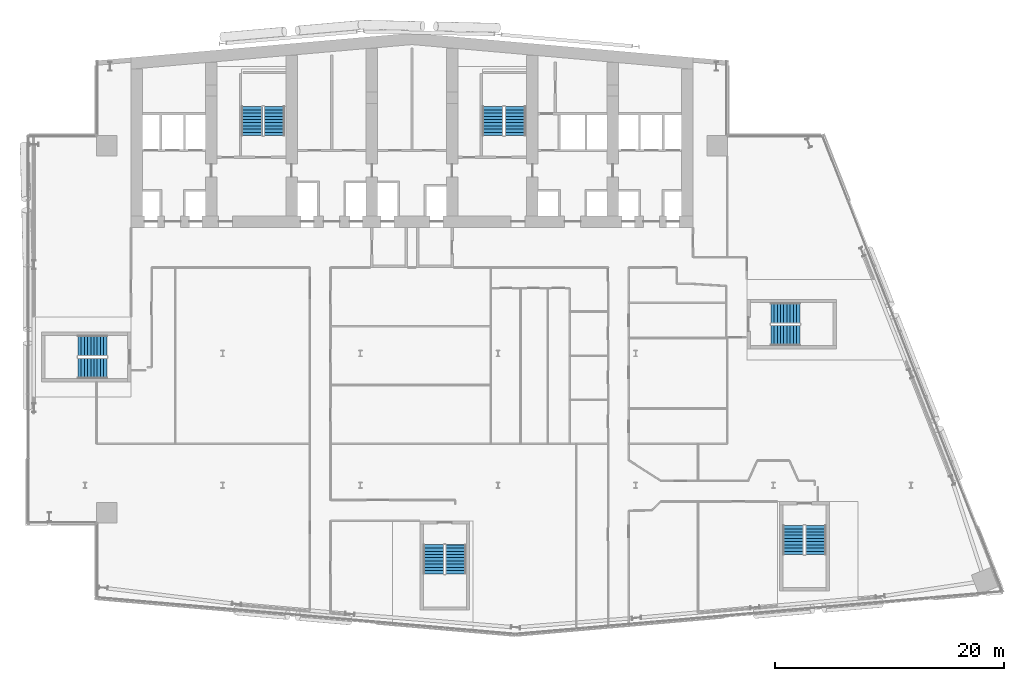
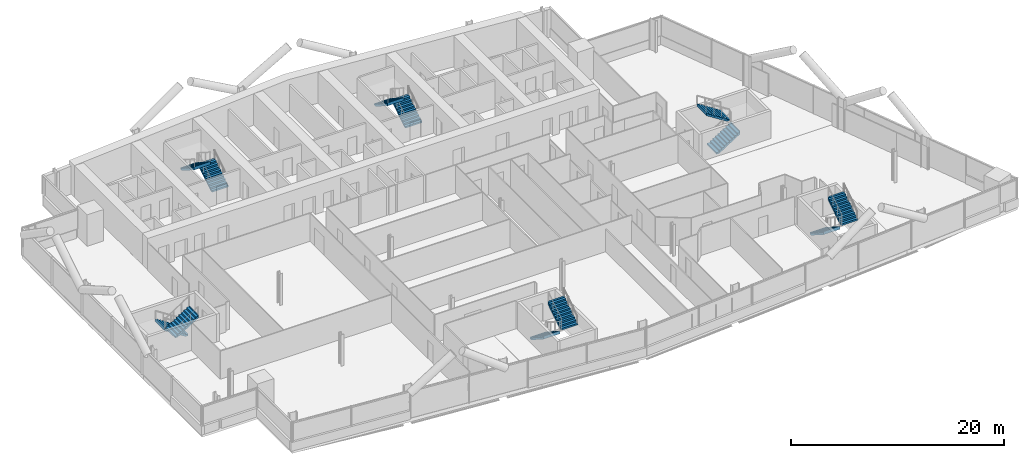
# One storey, part 20 of 26: 12 stair flights, 6 elements without a shape of their own.
"""IFC4 building model written with IfcOpenShell, lengths in metres."""

from ifc_helpers import new_model, si_unit, direction, frame, origin, place, context, subcontext, project, spatial, polyline, outline, extrude, material, type_object, element, aggregate, save


model = new_model("IFC4")

# Units and contexts
model_context = context("Model", 3, precision=1e-05, world=origin(), true_north=direction((0.0, 1.0)))
body_context = subcontext(model_context, "Body", "Model", "MODEL_VIEW")
ifc_project = project(units=[si_unit("LENGTHUNIT", "METRE"), si_unit("AREAUNIT", "SQUARE_METRE"), si_unit("VOLUMEUNIT", "CUBIC_METRE"), si_unit("PLANEANGLEUNIT", "RADIAN"), si_unit("MASSUNIT", "GRAM", prefix="KILO")], contexts=[model_context])

# Site, building, storey
site_placement = place(None, origin())
site = spatial("IfcSite", under=ifc_project, at=site_placement, CompositionType="ELEMENT")
building_placement = place(site_placement, origin())
building = spatial("IfcBuilding", under=site, at=building_placement, Name="Wharfspan Tower", CompositionType="ELEMENT")
storey_placement = place(building_placement, frame((0.0, 0.0, 114.699951)))
storey = spatial("IfcBuildingStorey", under=building, at=storey_placement, Name="L26", CompositionType="ELEMENT", Elevation=114.699951)

# Stair, stair flights
ifc_material = material(Name="Concrete C40/50", Category="concrete")
stair_type = type_object("IfcStairType", Name="Half-turn stair 20 risers 180 mm", PredefinedType="HALF_TURN_STAIR", material=ifc_material)
stair_1_placement = place(storey_placement, origin())
stair_1 = element("IfcStair", 1, at=stair_1_placement, inside=storey, type_object=stair_type, Name="L26 stair ST1", PredefinedType="HALF_TURN_STAIR")
stair_flight_type = type_object("IfcStairFlightType", Name="Stair flight 20 risers 180 mm", PredefinedType="STRAIGHT", material=ifc_material)
stair_flight_1_placement = place(storey_placement, frame((28.5, 42.0, 0.0), z_axis=(0.0, 0.0, 1.0), x_axis=(0.0, 1.0, 0.0)))
stair_flight_1 = element("IfcStairFlight", 2, at=stair_flight_1_placement, type_object=stair_flight_type, Name="ST1 flight 1", NumberOfRisers=10, NumberOfTreads=9, PredefinedType="STRAIGHT", RiserHeight=0.18, TreadLength=0.28, context=body_context, shape_type="SweptSolid", body=[
    extrude(outline(polyline([(-0.011963, 0.0), (-0.011963, 0.179932), (0.0, 0.179932), (0.280029, 0.179932), (0.280029, 0.360107), (0.560059, 0.360107), (0.560059, 0.540039), (0.840088, 0.540039), (0.840088, 0.719971), (1.120117, 0.719971), (1.120117, 0.899902), (1.399902, 0.899902), (1.399902, 1.080078), (1.679932, 1.080078), (1.679932, 1.26001), (1.959961, 1.26001), (1.959961, 1.439941), (2.23999, 1.439941), (2.23999, 1.620117), (2.52002, 1.620117), (2.531982, 1.800049), (2.531982, 1.441895), (0.2771, 0.0), (-0.011963, 0.0)])), frame((0.0, 0.899902, 0.0), z_axis=(0.0, -1.0, 0.0), x_axis=(1.0, 0.0, 0.0)), (0.0, 0.0, 1.0), 0.899414),
    extrude(outline(polyline([(-0.011963, 0.0), (-0.011963, 0.179932), (0.0, 0.179932), (0.280029, 0.179932), (0.280029, 0.360107), (0.560059, 0.360107), (0.560059, 0.540039), (0.840088, 0.540039), (0.840088, 0.719971), (1.120117, 0.719971), (1.120117, 0.899902), (1.399902, 0.899902), (1.399902, 1.080078), (1.679932, 1.080078), (1.679932, 1.26001), (1.959961, 1.26001), (1.959961, 1.439941), (2.23999, 1.439941), (2.23999, 1.620117), (2.52002, 1.620117), (2.531982, 1.800049), (2.531982, 1.441895), (0.2771, 0.0), (-0.011963, 0.0)])), frame((0.0, -0.000488, 0.0), z_axis=(0.0, -1.0, 0.0), x_axis=(1.0, 0.0, 0.0)), (0.0, 0.0, 1.0), 0.899414),
])
stair_flight_2_placement = place(storey_placement, frame((26.550049, 44.52002, 1.800049), z_axis=(0.0, 0.0, 1.0), x_axis=(0.0, -1.0, 0.0)))
stair_flight_2 = element("IfcStairFlight", 3, at=stair_flight_2_placement, type_object=stair_flight_type, Name="ST1 flight 2", NumberOfRisers=10, NumberOfTreads=9, PredefinedType="STRAIGHT", RiserHeight=0.18, TreadLength=0.28, context=body_context, shape_type="SweptSolid", body=[
    extrude(outline(polyline([(-0.011963, 0.0), (-0.011963, 0.179932), (0.0, 0.179932), (0.280029, 0.179932), (0.280029, 0.360107), (0.560059, 0.360107), (0.560059, 0.540039), (0.840088, 0.540039), (0.840088, 0.719971), (1.120117, 0.719971), (1.120117, 0.899902), (1.399902, 0.899902), (1.399902, 1.080078), (1.679932, 1.080078), (1.679932, 1.26001), (1.959961, 1.26001), (1.959961, 1.439941), (2.23999, 1.439941), (2.23999, 1.620117), (2.52002, 1.620117), (2.531982, 1.800049), (2.531982, 1.441895), (0.2771, 0.0), (-0.011963, 0.0)])), frame((0.0, 0.899902, 0.0), z_axis=(0.0, -1.0, 0.0), x_axis=(1.0, 0.0, 0.0)), (0.0, 0.0, 1.0), 0.899414),
    extrude(outline(polyline([(-0.011963, 0.0), (-0.011963, 0.179932), (0.0, 0.179932), (0.280029, 0.179932), (0.280029, 0.360107), (0.560059, 0.360107), (0.560059, 0.540039), (0.840088, 0.540039), (0.840088, 0.719971), (1.120117, 0.719971), (1.120117, 0.899902), (1.399902, 0.899902), (1.399902, 1.080078), (1.679932, 1.080078), (1.679932, 1.26001), (1.959961, 1.26001), (1.959961, 1.439941), (2.23999, 1.439941), (2.23999, 1.620117), (2.52002, 1.620117), (2.531982, 1.800049), (2.531982, 1.441895), (0.2771, 0.0), (-0.011963, 0.0)])), frame((0.0, -0.000488, 0.0), z_axis=(0.0, -1.0, 0.0), x_axis=(1.0, 0.0, 0.0)), (0.0, 0.0, 1.0), 0.899414),
])
aggregate(stair_1, [stair_flight_1, stair_flight_2])

stair_2_placement = place(storey_placement, origin())
stair_2 = element("IfcStair", 4, at=stair_2_placement, inside=storey, type_object=stair_type, Name="L26 stair ST2", PredefinedType="HALF_TURN_STAIR")
stair_flight_3_placement = place(storey_placement, frame((49.5, 42.0, 0.0), z_axis=(0.0, 0.0, 1.0), x_axis=(0.0, 1.0, 0.0)))
stair_flight_3 = element("IfcStairFlight", 5, at=stair_flight_3_placement, type_object=stair_flight_type, Name="ST2 flight 1", NumberOfRisers=10, NumberOfTreads=9, PredefinedType="STRAIGHT", RiserHeight=0.18, TreadLength=0.28, context=body_context, shape_type="SweptSolid", body=[
    extrude(outline(polyline([(-0.011963, 0.0), (-0.011963, 0.179932), (0.0, 0.179932), (0.280029, 0.179932), (0.280029, 0.360107), (0.560059, 0.360107), (0.560059, 0.540039), (0.840088, 0.540039), (0.840088, 0.719971), (1.120117, 0.719971), (1.120117, 0.899902), (1.399902, 0.899902), (1.399902, 1.080078), (1.679932, 1.080078), (1.679932, 1.26001), (1.959961, 1.26001), (1.959961, 1.439941), (2.23999, 1.439941), (2.23999, 1.620117), (2.52002, 1.620117), (2.531982, 1.800049), (2.531982, 1.441895), (0.2771, 0.0), (-0.011963, 0.0)])), frame((0.0, 0.899902, 0.0), z_axis=(0.0, -1.0, 0.0), x_axis=(1.0, 0.0, 0.0)), (0.0, 0.0, 1.0), 0.899414),
    extrude(outline(polyline([(-0.011963, 0.0), (-0.011963, 0.179932), (0.0, 0.179932), (0.280029, 0.179932), (0.280029, 0.360107), (0.560059, 0.360107), (0.560059, 0.540039), (0.840088, 0.540039), (0.840088, 0.719971), (1.120117, 0.719971), (1.120117, 0.899902), (1.399902, 0.899902), (1.399902, 1.080078), (1.679932, 1.080078), (1.679932, 1.26001), (1.959961, 1.26001), (1.959961, 1.439941), (2.23999, 1.439941), (2.23999, 1.620117), (2.52002, 1.620117), (2.531982, 1.800049), (2.531982, 1.441895), (0.2771, 0.0), (-0.011963, 0.0)])), frame((0.0, -0.000488, 0.0), z_axis=(0.0, -1.0, 0.0), x_axis=(1.0, 0.0, 0.0)), (0.0, 0.0, 1.0), 0.899414),
])
stair_flight_4_placement = place(storey_placement, frame((47.550049, 44.52002, 1.800049), z_axis=(0.0, 0.0, 1.0), x_axis=(0.0, -1.0, 0.0)))
stair_flight_4 = element("IfcStairFlight", 6, at=stair_flight_4_placement, type_object=stair_flight_type, Name="ST2 flight 2", NumberOfRisers=10, NumberOfTreads=9, PredefinedType="STRAIGHT", RiserHeight=0.18, TreadLength=0.28, context=body_context, shape_type="SweptSolid", body=[
    extrude(outline(polyline([(-0.011963, 0.0), (-0.011963, 0.179932), (0.0, 0.179932), (0.280029, 0.179932), (0.280029, 0.360107), (0.560059, 0.360107), (0.560059, 0.540039), (0.840088, 0.540039), (0.840088, 0.719971), (1.120117, 0.719971), (1.120117, 0.899902), (1.399902, 0.899902), (1.399902, 1.080078), (1.679932, 1.080078), (1.679932, 1.26001), (1.959961, 1.26001), (1.959961, 1.439941), (2.23999, 1.439941), (2.23999, 1.620117), (2.52002, 1.620117), (2.531982, 1.800049), (2.531982, 1.441895), (0.2771, 0.0), (-0.011963, 0.0)])), frame((0.0, 0.899902, 0.0), z_axis=(0.0, -1.0, 0.0), x_axis=(1.0, 0.0, 0.0)), (0.0, 0.0, 1.0), 0.899414),
    extrude(outline(polyline([(-0.011963, 0.0), (-0.011963, 0.179932), (0.0, 0.179932), (0.280029, 0.179932), (0.280029, 0.360107), (0.560059, 0.360107), (0.560059, 0.540039), (0.840088, 0.540039), (0.840088, 0.719971), (1.120117, 0.719971), (1.120117, 0.899902), (1.399902, 0.899902), (1.399902, 1.080078), (1.679932, 1.080078), (1.679932, 1.26001), (1.959961, 1.26001), (1.959961, 1.439941), (2.23999, 1.439941), (2.23999, 1.620117), (2.52002, 1.620117), (2.531982, 1.800049), (2.531982, 1.441895), (0.2771, 0.0), (-0.011963, 0.0)])), frame((0.0, -0.000488, 0.0), z_axis=(0.0, -1.0, 0.0), x_axis=(1.0, 0.0, 0.0)), (0.0, 0.0, 1.0), 0.899414),
])
aggregate(stair_2, [stair_flight_3, stair_flight_4])

stair_3_placement = place(storey_placement, origin())
stair_3 = element("IfcStair", 7, at=stair_3_placement, inside=storey, type_object=stair_type, Name="L26 stair ST3", PredefinedType="HALF_TURN_STAIR")
stair_flight_5_placement = place(storey_placement, frame((13.899902, 23.675049, 0.0), z_axis=(0.0, 0.0, 1.0), x_axis=(-1.0, 0.0, 0.0)))
stair_flight_5 = element("IfcStairFlight", 8, at=stair_flight_5_placement, type_object=stair_flight_type, Name="ST3 flight 1", NumberOfRisers=10, NumberOfTreads=9, PredefinedType="STRAIGHT", RiserHeight=0.18, TreadLength=0.28, context=body_context, shape_type="SweptSolid", body=[
    extrude(outline(polyline([(-0.011963, 0.0), (-0.011963, 0.179932), (0.0, 0.179932), (0.280029, 0.179932), (0.280029, 0.360107), (0.560059, 0.360107), (0.560059, 0.540039), (0.840088, 0.540039), (0.840088, 0.719971), (1.120117, 0.719971), (1.120117, 0.899902), (1.399902, 0.899902), (1.399902, 1.080078), (1.679932, 1.080078), (1.679932, 1.26001), (1.959961, 1.26001), (1.959961, 1.439941), (2.23999, 1.439941), (2.23999, 1.620117), (2.52002, 1.620117), (2.531982, 1.800049), (2.531982, 1.441895), (0.2771, 0.0), (-0.011963, 0.0)])), frame((0.0, 0.899902, 0.0), z_axis=(0.0, -1.0, 0.0), x_axis=(1.0, 0.0, 0.0)), (0.0, 0.0, 1.0), 0.899414),
    extrude(outline(polyline([(-0.011963, 0.0), (-0.011963, 0.179932), (0.0, 0.179932), (0.280029, 0.179932), (0.280029, 0.360107), (0.560059, 0.360107), (0.560059, 0.540039), (0.840088, 0.540039), (0.840088, 0.719971), (1.120117, 0.719971), (1.120117, 0.899902), (1.399902, 0.899902), (1.399902, 1.080078), (1.679932, 1.080078), (1.679932, 1.26001), (1.959961, 1.26001), (1.959961, 1.439941), (2.23999, 1.439941), (2.23999, 1.620117), (2.52002, 1.620117), (2.531982, 1.800049), (2.531982, 1.441895), (0.2771, 0.0), (-0.011963, 0.0)])), frame((0.0, -0.000488, 0.0), z_axis=(0.0, -1.0, 0.0), x_axis=(1.0, 0.0, 0.0)), (0.0, 0.0, 1.0), 0.899414),
])
stair_flight_6_placement = place(storey_placement, frame((11.379883, 21.725098, 1.800049), z_axis=(0.0, 0.0, 1.0), x_axis=(1.0, 0.0, 0.0)))
stair_flight_6 = element("IfcStairFlight", 9, at=stair_flight_6_placement, type_object=stair_flight_type, Name="ST3 flight 2", NumberOfRisers=10, NumberOfTreads=9, PredefinedType="STRAIGHT", RiserHeight=0.18, TreadLength=0.28, context=body_context, shape_type="SweptSolid", body=[
    extrude(outline(polyline([(-0.011963, 0.0), (-0.011963, 0.179932), (0.0, 0.179932), (0.280029, 0.179932), (0.280029, 0.360107), (0.560059, 0.360107), (0.560059, 0.540039), (0.840088, 0.540039), (0.840088, 0.719971), (1.120117, 0.719971), (1.120117, 0.899902), (1.399902, 0.899902), (1.399902, 1.080078), (1.679932, 1.080078), (1.679932, 1.26001), (1.959961, 1.26001), (1.959961, 1.439941), (2.23999, 1.439941), (2.23999, 1.620117), (2.52002, 1.620117), (2.531982, 1.800049), (2.531982, 1.441895), (0.2771, 0.0), (-0.011963, 0.0)])), frame((0.0, 0.899902, 0.0), z_axis=(0.0, -1.0, 0.0), x_axis=(1.0, 0.0, 0.0)), (0.0, 0.0, 1.0), 0.899414),
    extrude(outline(polyline([(-0.011963, 0.0), (-0.011963, 0.179932), (0.0, 0.179932), (0.280029, 0.179932), (0.280029, 0.360107), (0.560059, 0.360107), (0.560059, 0.540039), (0.840088, 0.540039), (0.840088, 0.719971), (1.120117, 0.719971), (1.120117, 0.899902), (1.399902, 0.899902), (1.399902, 1.080078), (1.679932, 1.080078), (1.679932, 1.26001), (1.959961, 1.26001), (1.959961, 1.439941), (2.23999, 1.439941), (2.23999, 1.620117), (2.52002, 1.620117), (2.531982, 1.800049), (2.531982, 1.441895), (0.2771, 0.0), (-0.011963, 0.0)])), frame((0.0, -0.000488, 0.0), z_axis=(0.0, -1.0, 0.0), x_axis=(1.0, 0.0, 0.0)), (0.0, 0.0, 1.0), 0.899414),
])
aggregate(stair_3, [stair_flight_5, stair_flight_6])

stair_4_placement = place(storey_placement, origin())
stair_4 = element("IfcStair", 10, at=stair_4_placement, inside=storey, type_object=stair_type, Name="L26 stair ST4", PredefinedType="HALF_TURN_STAIR")
stair_flight_7_placement = place(storey_placement, frame((42.385254, 6.316895, 0.0), z_axis=(0.0, 0.0, 1.0), x_axis=(0.0, -1.0, 0.0)))
stair_flight_7 = element("IfcStairFlight", 11, at=stair_flight_7_placement, type_object=stair_flight_type, Name="ST4 flight 1", NumberOfRisers=10, NumberOfTreads=9, PredefinedType="STRAIGHT", RiserHeight=0.18, TreadLength=0.28, context=body_context, shape_type="SweptSolid", body=[
    extrude(outline(polyline([(-0.011963, 0.0), (-0.011963, 0.179932), (0.0, 0.179932), (0.280029, 0.179932), (0.280029, 0.360107), (0.560059, 0.360107), (0.560059, 0.540039), (0.840088, 0.540039), (0.840088, 0.719971), (1.120117, 0.719971), (1.120117, 0.899902), (1.399902, 0.899902), (1.399902, 1.080078), (1.679932, 1.080078), (1.679932, 1.26001), (1.959961, 1.26001), (1.959961, 1.439941), (2.23999, 1.439941), (2.23999, 1.620117), (2.52002, 1.620117), (2.531982, 1.800049), (2.531982, 1.441895), (0.2771, 0.0), (-0.011963, 0.0)])), frame((0.0, 0.899902, 0.0), z_axis=(0.0, -1.0, 0.0), x_axis=(1.0, 0.0, 0.0)), (0.0, 0.0, 1.0), 0.899414),
    extrude(outline(polyline([(-0.011963, 0.0), (-0.011963, 0.179932), (0.0, 0.179932), (0.280029, 0.179932), (0.280029, 0.360107), (0.560059, 0.360107), (0.560059, 0.540039), (0.840088, 0.540039), (0.840088, 0.719971), (1.120117, 0.719971), (1.120117, 0.899902), (1.399902, 0.899902), (1.399902, 1.080078), (1.679932, 1.080078), (1.679932, 1.26001), (1.959961, 1.26001), (1.959961, 1.439941), (2.23999, 1.439941), (2.23999, 1.620117), (2.52002, 1.620117), (2.531982, 1.800049), (2.531982, 1.441895), (0.2771, 0.0), (-0.011963, 0.0)])), frame((0.0, -0.000488, 0.0), z_axis=(0.0, -1.0, 0.0), x_axis=(1.0, 0.0, 0.0)), (0.0, 0.0, 1.0), 0.899414),
])
stair_flight_8_placement = place(storey_placement, frame((44.335205, 3.796875, 1.800049), z_axis=(0.0, 0.0, 1.0), x_axis=(0.0, 1.0, 0.0)))
stair_flight_8 = element("IfcStairFlight", 12, at=stair_flight_8_placement, type_object=stair_flight_type, Name="ST4 flight 2", NumberOfRisers=10, NumberOfTreads=9, PredefinedType="STRAIGHT", RiserHeight=0.18, TreadLength=0.28, context=body_context, shape_type="SweptSolid", body=[
    extrude(outline(polyline([(-0.011963, 0.0), (-0.011963, 0.179932), (0.0, 0.179932), (0.280029, 0.179932), (0.280029, 0.360107), (0.560059, 0.360107), (0.560059, 0.540039), (0.840088, 0.540039), (0.840088, 0.719971), (1.120117, 0.719971), (1.120117, 0.899902), (1.399902, 0.899902), (1.399902, 1.080078), (1.679932, 1.080078), (1.679932, 1.26001), (1.959961, 1.26001), (1.959961, 1.439941), (2.23999, 1.439941), (2.23999, 1.620117), (2.52002, 1.620117), (2.531982, 1.800049), (2.531982, 1.441895), (0.2771, 0.0), (-0.011963, 0.0)])), frame((0.0, 0.899902, 0.0), z_axis=(0.0, -1.0, 0.0), x_axis=(1.0, 0.0, 0.0)), (0.0, 0.0, 1.0), 0.899414),
    extrude(outline(polyline([(-0.011963, 0.0), (-0.011963, 0.179932), (0.0, 0.179932), (0.280029, 0.179932), (0.280029, 0.360107), (0.560059, 0.360107), (0.560059, 0.540039), (0.840088, 0.540039), (0.840088, 0.719971), (1.120117, 0.719971), (1.120117, 0.899902), (1.399902, 0.899902), (1.399902, 1.080078), (1.679932, 1.080078), (1.679932, 1.26001), (1.959961, 1.26001), (1.959961, 1.439941), (2.23999, 1.439941), (2.23999, 1.620117), (2.52002, 1.620117), (2.531982, 1.800049), (2.531982, 1.441895), (0.2771, 0.0), (-0.011963, 0.0)])), frame((0.0, -0.000488, 0.0), z_axis=(0.0, -1.0, 0.0), x_axis=(1.0, 0.0, 0.0)), (0.0, 0.0, 1.0), 0.899414),
])
aggregate(stair_4, [stair_flight_7, stair_flight_8])

stair_5_placement = place(storey_placement, origin())
stair_5 = element("IfcStair", 13, at=stair_5_placement, inside=storey, type_object=stair_type, Name="L26 stair ST5", PredefinedType="HALF_TURN_STAIR")
stair_flight_9_placement = place(storey_placement, frame((73.740967, 7.994629, 0.0), z_axis=(0.0, 0.0, 1.0), x_axis=(0.0, -1.0, 0.0)))
stair_flight_9 = element("IfcStairFlight", 14, at=stair_flight_9_placement, type_object=stair_flight_type, Name="ST5 flight 1", NumberOfRisers=10, NumberOfTreads=9, PredefinedType="STRAIGHT", RiserHeight=0.18, TreadLength=0.28, context=body_context, shape_type="SweptSolid", body=[
    extrude(outline(polyline([(-0.011963, 0.0), (-0.011963, 0.179932), (0.0, 0.179932), (0.280029, 0.179932), (0.280029, 0.360107), (0.560059, 0.360107), (0.560059, 0.540039), (0.840088, 0.540039), (0.840088, 0.719971), (1.120117, 0.719971), (1.120117, 0.899902), (1.399902, 0.899902), (1.399902, 1.080078), (1.679932, 1.080078), (1.679932, 1.26001), (1.959961, 1.26001), (1.959961, 1.439941), (2.23999, 1.439941), (2.23999, 1.620117), (2.52002, 1.620117), (2.531982, 1.800049), (2.531982, 1.441895), (0.2771, 0.0), (-0.011963, 0.0)])), frame((0.0, 0.899902, 0.0), z_axis=(0.0, -1.0, 0.0), x_axis=(1.0, 0.0, 0.0)), (0.0, 0.0, 1.0), 0.899414),
    extrude(outline(polyline([(-0.011963, 0.0), (-0.011963, 0.179932), (0.0, 0.179932), (0.280029, 0.179932), (0.280029, 0.360107), (0.560059, 0.360107), (0.560059, 0.540039), (0.840088, 0.540039), (0.840088, 0.719971), (1.120117, 0.719971), (1.120117, 0.899902), (1.399902, 0.899902), (1.399902, 1.080078), (1.679932, 1.080078), (1.679932, 1.26001), (1.959961, 1.26001), (1.959961, 1.439941), (2.23999, 1.439941), (2.23999, 1.620117), (2.52002, 1.620117), (2.531982, 1.800049), (2.531982, 1.441895), (0.2771, 0.0), (-0.011963, 0.0)])), frame((0.0, -0.000488, 0.0), z_axis=(0.0, -1.0, 0.0), x_axis=(1.0, 0.0, 0.0)), (0.0, 0.0, 1.0), 0.899414),
])
stair_flight_10_placement = place(storey_placement, frame((75.690918, 5.474609, 1.800049), z_axis=(0.0, 0.0, 1.0), x_axis=(0.0, 1.0, 0.0)))
stair_flight_10 = element("IfcStairFlight", 15, at=stair_flight_10_placement, type_object=stair_flight_type, Name="ST5 flight 2", NumberOfRisers=10, NumberOfTreads=9, PredefinedType="STRAIGHT", RiserHeight=0.18, TreadLength=0.28, context=body_context, shape_type="SweptSolid", body=[
    extrude(outline(polyline([(-0.011963, 0.0), (-0.011963, 0.179932), (0.0, 0.179932), (0.280029, 0.179932), (0.280029, 0.360107), (0.560059, 0.360107), (0.560059, 0.540039), (0.840088, 0.540039), (0.840088, 0.719971), (1.120117, 0.719971), (1.120117, 0.899902), (1.399902, 0.899902), (1.399902, 1.080078), (1.679932, 1.080078), (1.679932, 1.26001), (1.959961, 1.26001), (1.959961, 1.439941), (2.23999, 1.439941), (2.23999, 1.620117), (2.52002, 1.620117), (2.531982, 1.800049), (2.531982, 1.441895), (0.2771, 0.0), (-0.011963, 0.0)])), frame((0.0, 0.899902, 0.0), z_axis=(0.0, -1.0, 0.0), x_axis=(1.0, 0.0, 0.0)), (0.0, 0.0, 1.0), 0.899414),
    extrude(outline(polyline([(-0.011963, 0.0), (-0.011963, 0.179932), (0.0, 0.179932), (0.280029, 0.179932), (0.280029, 0.360107), (0.560059, 0.360107), (0.560059, 0.540039), (0.840088, 0.540039), (0.840088, 0.719971), (1.120117, 0.719971), (1.120117, 0.899902), (1.399902, 0.899902), (1.399902, 1.080078), (1.679932, 1.080078), (1.679932, 1.26001), (1.959961, 1.26001), (1.959961, 1.439941), (2.23999, 1.439941), (2.23999, 1.620117), (2.52002, 1.620117), (2.531982, 1.800049), (2.531982, 1.441895), (0.2771, 0.0), (-0.011963, 0.0)])), frame((0.0, -0.000488, 0.0), z_axis=(0.0, -1.0, 0.0), x_axis=(1.0, 0.0, 0.0)), (0.0, 0.0, 1.0), 0.899414),
])
aggregate(stair_5, [stair_flight_9, stair_flight_10])

stair_6_placement = place(storey_placement, origin())
stair_6 = element("IfcStair", 16, at=stair_6_placement, inside=storey, type_object=stair_type, Name="L26 stair ST6", PredefinedType="HALF_TURN_STAIR")
stair_flight_11_placement = place(storey_placement, frame((71.790283, 24.574951, 0.0), z_axis=(0.0, 0.0, 1.0), x_axis=(1.0, 0.0, 0.0)))
stair_flight_11 = element("IfcStairFlight", 17, at=stair_flight_11_placement, type_object=stair_flight_type, Name="ST6 flight 1", NumberOfRisers=10, NumberOfTreads=9, PredefinedType="STRAIGHT", RiserHeight=0.18, TreadLength=0.28, context=body_context, shape_type="SweptSolid", body=[
    extrude(outline(polyline([(-0.011963, 0.0), (-0.011963, 0.179932), (0.0, 0.179932), (0.280029, 0.179932), (0.280029, 0.360107), (0.560059, 0.360107), (0.560059, 0.540039), (0.840088, 0.540039), (0.840088, 0.719971), (1.120117, 0.719971), (1.120117, 0.899902), (1.399902, 0.899902), (1.399902, 1.080078), (1.679932, 1.080078), (1.679932, 1.26001), (1.959961, 1.26001), (1.959961, 1.439941), (2.23999, 1.439941), (2.23999, 1.620117), (2.52002, 1.620117), (2.531982, 1.800049), (2.531982, 1.441895), (0.2771, 0.0), (-0.011963, 0.0)])), frame((0.0, 0.899902, 0.0), z_axis=(0.0, -1.0, 0.0), x_axis=(1.0, 0.0, 0.0)), (0.0, 0.0, 1.0), 0.899414),
    extrude(outline(polyline([(-0.011963, 0.0), (-0.011963, 0.179932), (0.0, 0.179932), (0.280029, 0.179932), (0.280029, 0.360107), (0.560059, 0.360107), (0.560059, 0.540039), (0.840088, 0.540039), (0.840088, 0.719971), (1.120117, 0.719971), (1.120117, 0.899902), (1.399902, 0.899902), (1.399902, 1.080078), (1.679932, 1.080078), (1.679932, 1.26001), (1.959961, 1.26001), (1.959961, 1.439941), (2.23999, 1.439941), (2.23999, 1.620117), (2.52002, 1.620117), (2.531982, 1.800049), (2.531982, 1.441895), (0.2771, 0.0), (-0.011963, 0.0)])), frame((0.0, -0.000488, 0.0), z_axis=(0.0, -1.0, 0.0), x_axis=(1.0, 0.0, 0.0)), (0.0, 0.0, 1.0), 0.899414),
])
stair_flight_12_placement = place(storey_placement, frame((74.310303, 26.524902, 1.800049), z_axis=(0.0, 0.0, 1.0), x_axis=(-1.0, 0.0, 0.0)))
stair_flight_12 = element("IfcStairFlight", 18, at=stair_flight_12_placement, type_object=stair_flight_type, Name="ST6 flight 2", NumberOfRisers=10, NumberOfTreads=9, PredefinedType="STRAIGHT", RiserHeight=0.18, TreadLength=0.28, context=body_context, shape_type="SweptSolid", body=[
    extrude(outline(polyline([(-0.011963, 0.0), (-0.011963, 0.179932), (0.0, 0.179932), (0.280029, 0.179932), (0.280029, 0.360107), (0.560059, 0.360107), (0.560059, 0.540039), (0.840088, 0.540039), (0.840088, 0.719971), (1.120117, 0.719971), (1.120117, 0.899902), (1.399902, 0.899902), (1.399902, 1.080078), (1.679932, 1.080078), (1.679932, 1.26001), (1.959961, 1.26001), (1.959961, 1.439941), (2.23999, 1.439941), (2.23999, 1.620117), (2.52002, 1.620117), (2.531982, 1.800049), (2.531982, 1.441895), (0.2771, 0.0), (-0.011963, 0.0)])), frame((0.0, 0.899902, 0.0), z_axis=(0.0, -1.0, 0.0), x_axis=(1.0, 0.0, 0.0)), (0.0, 0.0, 1.0), 0.899414),
    extrude(outline(polyline([(-0.011963, 0.0), (-0.011963, 0.179932), (0.0, 0.179932), (0.280029, 0.179932), (0.280029, 0.360107), (0.560059, 0.360107), (0.560059, 0.540039), (0.840088, 0.540039), (0.840088, 0.719971), (1.120117, 0.719971), (1.120117, 0.899902), (1.399902, 0.899902), (1.399902, 1.080078), (1.679932, 1.080078), (1.679932, 1.26001), (1.959961, 1.26001), (1.959961, 1.439941), (2.23999, 1.439941), (2.23999, 1.620117), (2.52002, 1.620117), (2.531982, 1.800049), (2.531982, 1.441895), (0.2771, 0.0), (-0.011963, 0.0)])), frame((0.0, -0.000488, 0.0), z_axis=(0.0, -1.0, 0.0), x_axis=(1.0, 0.0, 0.0)), (0.0, 0.0, 1.0), 0.899414),
])
aggregate(stair_6, [stair_flight_11, stair_flight_12])

save(model, "model.ifc")
